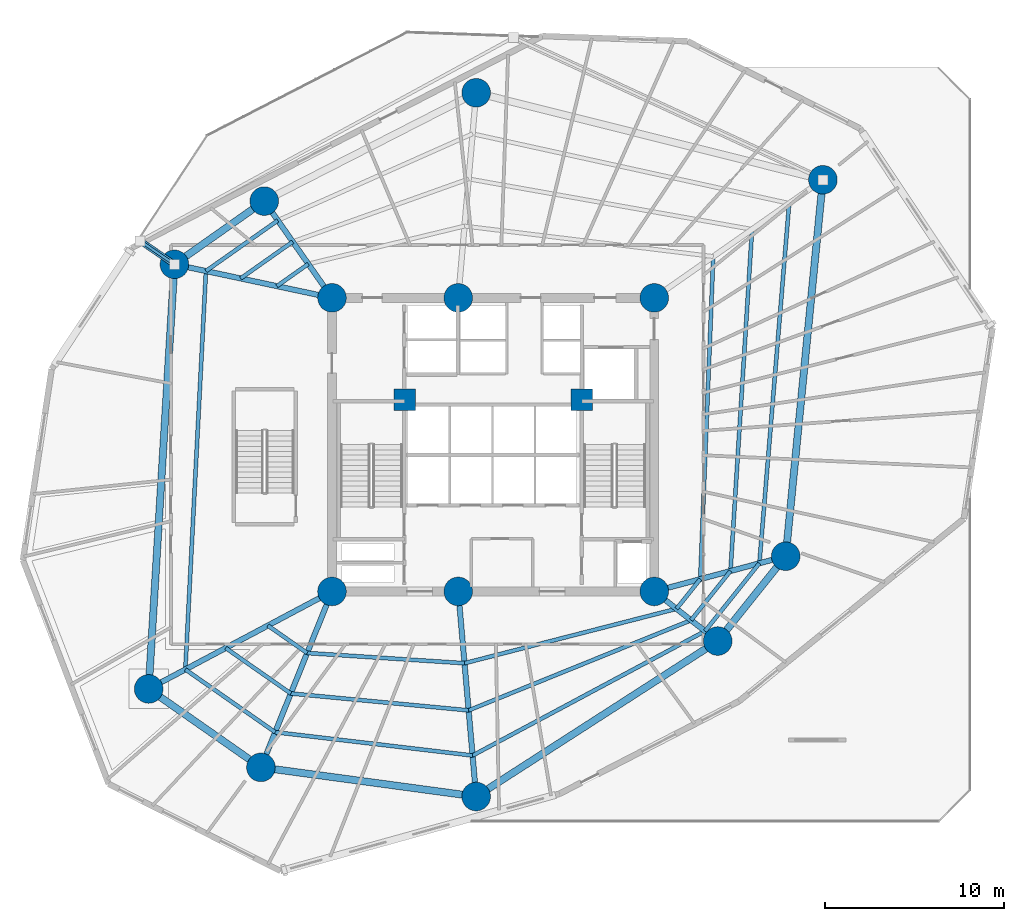
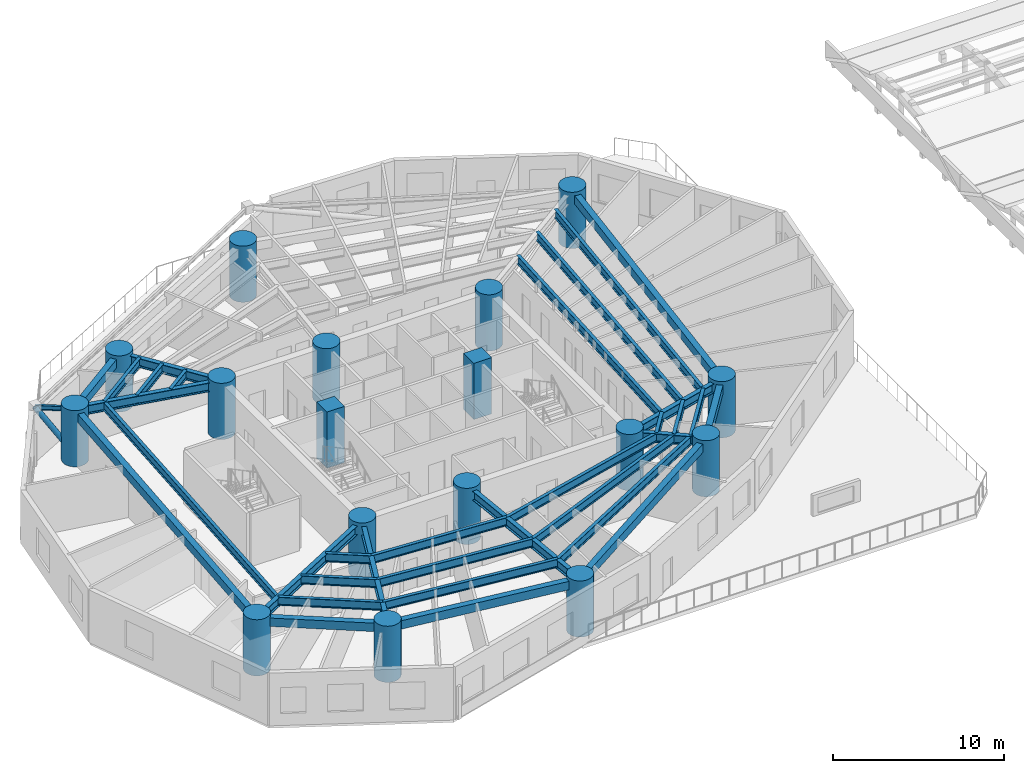
# One storey, part 1 of 16: 34 beams, 17 columns, 1 member.
"""IFC4 building model written with IfcOpenShell, lengths in metres."""

import ifcopenshell
import ifcopenshell.guid

model = None  # the IFC model being written
_history = None  # IfcOwnerHistory: only IFC2X3 demands one
_inside = {}  # id of a spatial element -> (the spatial element, [elements in it])
_under = {}  # id of a project, library or spatial element -> (it, [spatial elements below it])
_declared = {}  # id of a project -> (the project, [libraries it declares])
_typed = {}  # id of a type object -> (the type object, [elements of that type])
_made_of = {}  # id of a material, layer set ... -> (it, [elements and type objects made of it])


def new_model(schema):
    """Start an empty IFC model of exactly this schema.

    Asked for "IFC4X3", IfcOpenShell would pick the latest addendum, in which some entities
    have other attributes; the version numbers below select the first issue.
    IFC2X3 requires an IfcOwnerHistory on every rooted entity: one is made here for all.
    """
    global model, _history
    if schema == "IFC4X3":
        model = ifcopenshell.file(schema_version=(4, 3, 0, 0))
    else:
        model = ifcopenshell.file(schema=schema)
    _inside.clear()
    _under.clear()
    _declared.clear()
    _typed.clear()
    _made_of.clear()
    _history = None
    if model.schema == "IFC2X3":
        org = make("IfcOrganization", Name="unknown")
        user = make(
            "IfcPersonAndOrganization",
            ThePerson=make("IfcPerson", FamilyName="unknown"),
            TheOrganization=org,
        )
        app = make(
            "IfcApplication",
            ApplicationDeveloper=org,
            Version="unknown",
            ApplicationFullName="unknown",
            ApplicationIdentifier="unknown",
        )
        _history = make(
            "IfcOwnerHistory",
            OwningUser=user,
            OwningApplication=app,
            ChangeAction="ADDED",
            CreationDate=0,
        )
    return model


def make(cls, **values):
    """One entity of the class cls with the attributes given. An attribute that is None is left unset."""
    return model.create_entity(
        cls, **{name: value for name, value in values.items() if value is not None}
    )


def rooted(cls, **values):
    """An entity with a GlobalId (a new one), such as an element, a storey or a relation."""
    return make(cls, GlobalId=ifcopenshell.guid.new(), OwnerHistory=_history, **values)


def si_unit(unit_type, name, prefix=None):
    """IfcSIUnit, for example si_unit("LENGTHUNIT", "METRE", prefix="MILLI")."""
    return make("IfcSIUnit", UnitType=unit_type, Prefix=prefix, Name=name)


def assignment(units):
    """IfcUnitAssignment: the units of a project."""
    return None if units is None else make("IfcUnitAssignment", Units=units)


def point(xyz):
    """IfcCartesianPoint."""
    return None if xyz is None else make("IfcCartesianPoint", Coordinates=xyz)


def direction(xyz):
    """IfcDirection."""
    return None if xyz is None else make("IfcDirection", DirectionRatios=xyz)


def frame(location, z_axis=None, x_axis=None):
    """IfcAxis2Placement3D, a coordinate frame: its origin and axes. An axis left out is left unset."""
    return make(
        "IfcAxis2Placement3D",
        Location=point(location),
        Axis=direction(z_axis),
        RefDirection=direction(x_axis),
    )


def frame_2d(location, x_axis=None):
    """IfcAxis2Placement2D, a coordinate frame in the plane: its origin and x axis."""
    return make(
        "IfcAxis2Placement2D", Location=point(location), RefDirection=direction(x_axis)
    )


def origin():
    """The frame at (0, 0, 0) with its axes left unset."""
    return frame((0.0, 0.0, 0.0))


def origin_with_axes():
    """The frame at (0, 0, 0) with the z axis (0, 0, 1) and the x axis (1, 0, 0) written out."""
    return frame((0.0, 0.0, 0.0), z_axis=(0.0, 0.0, 1.0), x_axis=(1.0, 0.0, 0.0))


def origin_2d():
    """The frame at (0, 0) in the plane with its x axis left unset."""
    return frame_2d((0.0, 0.0))


def place(relative_to, where):
    """IfcLocalPlacement: puts the frame where relative to a parent placement (None: the world)."""
    return make(
        "IfcLocalPlacement", PlacementRelTo=relative_to, RelativePlacement=where
    )


def context(
    kind, dimensions, precision=None, world=None, true_north=None, identifier=None
):
    """IfcGeometricRepresentationContext, for example the 3D "Model" context."""
    return make(
        "IfcGeometricRepresentationContext",
        ContextIdentifier=identifier,
        ContextType=kind,
        CoordinateSpaceDimension=dimensions,
        Precision=precision,
        WorldCoordinateSystem=world,
        TrueNorth=true_north,
    )


def subcontext(parent, identifier, kind, view, scale=None):
    """IfcGeometricRepresentationSubContext, for example "Body" below "Model"."""
    return make(
        "IfcGeometricRepresentationSubContext",
        ContextIdentifier=identifier,
        ContextType=kind,
        ParentContext=parent,
        TargetScale=scale,
        TargetView=view,
    )


def project(units=None, contexts=None):
    """IfcProject with its units and contexts."""
    return rooted(
        "IfcProject",
        Name="project",
        RepresentationContexts=contexts,
        UnitsInContext=assignment(units),
    )


def spatial(cls, under=None, at=None, **own):
    """A site, building, storey or space (cls), placed at a placement, below another one or the project."""
    s = rooted(cls, ObjectPlacement=at, **own)
    if under is not None:
        _under.setdefault(under.id(), (under, []))[1].append(s)
    return s


def profile(cls, at=None, kind="AREA", **sizes):
    """A parametric profile (cls). Its sizes go by their IFC names, for example OverallWidth=200.0."""
    return make(cls, ProfileType=kind, Position=at, **sizes)


def rectangle(**sizes):
    """IfcRectangleProfileDef."""
    return profile("IfcRectangleProfileDef", **sizes)


def circle(**sizes):
    """IfcCircleProfileDef."""
    return profile("IfcCircleProfileDef", **sizes)


def hollow_circle(**sizes):
    """IfcCircleHollowProfileDef."""
    return profile("IfcCircleHollowProfileDef", **sizes)


def i_section(**sizes):
    """IfcIShapeProfileDef."""
    return profile("IfcIShapeProfileDef", **sizes)


def extrude(swept, where, along, depth):
    """IfcExtrudedAreaSolid: the profile swept, set in the frame where, extruded along a direction by depth."""
    return make(
        "IfcExtrudedAreaSolid",
        SweptArea=swept,
        Position=where,
        ExtrudedDirection=direction(along),
        Depth=depth,
    )


def shape(context_of_items, identifier, shape_type, items):
    """IfcShapeRepresentation: the items that make up one representation, for example the "Body"."""
    return make(
        "IfcShapeRepresentation",
        ContextOfItems=context_of_items,
        RepresentationIdentifier=identifier,
        RepresentationType=shape_type,
        Items=items,
    )


def source(mapping_origin, context_of_items, identifier, shape_type, items):
    """IfcRepresentationMap: a shape defined once, which mapped items show again and again."""
    return make(
        "IfcRepresentationMap",
        MappingOrigin=mapping_origin,
        MappedRepresentation=shape(context_of_items, identifier, shape_type, items),
    )


def transform(
    local_origin,
    x_axis=None,
    y_axis=None,
    z_axis=None,
    scale=None,
    scale2=None,
    scale3=None,
    uniform=True,
):
    """IfcCartesianTransformationOperator3D, or its non-uniform kind. x_axis, y_axis, z_axis: its Axis1, 2, 3."""
    if uniform:
        return make(
            "IfcCartesianTransformationOperator3D",
            Axis1=direction(x_axis),
            Axis2=direction(y_axis),
            LocalOrigin=point(local_origin),
            Scale=scale,
            Axis3=direction(z_axis),
        )
    return make(
        "IfcCartesianTransformationOperator3DnonUniform",
        Axis1=direction(x_axis),
        Axis2=direction(y_axis),
        LocalOrigin=point(local_origin),
        Scale=scale,
        Axis3=direction(z_axis),
        Scale2=scale2,
        Scale3=scale3,
    )


def mapped(mapping_source, mapping_target):
    """IfcMappedItem: shows the shape of a source again, moved by a transform."""
    return make(
        "IfcMappedItem", MappingSource=mapping_source, MappingTarget=mapping_target
    )


def material(Name=None, Category=None):
    """IfcMaterial."""
    return make("IfcMaterial", Name=Name, Category=Category)


def material_profile(
    of_material, cross_section, Name=None, Category=None, Priority=None
):
    """IfcMaterialProfile: a cross section and its material."""
    return make(
        "IfcMaterialProfile",
        Name=Name,
        Material=of_material,
        Profile=cross_section,
        Priority=Priority,
        Category=Category,
    )


def profile_set(profiles, Name=None, composite=None):
    """IfcMaterialProfileSet."""
    return make(
        "IfcMaterialProfileSet",
        Name=Name,
        MaterialProfiles=profiles,
        CompositeProfile=composite,
    )


def made_of(thing, what):
    """Note that an element or type object is made of a material, layer set ...; save() writes the relation."""
    if what is not None:
        _made_of.setdefault(what.id(), (what, []))[1].append(thing)
    return thing


def type_object(cls, material=None, **own):
    """A type object (cls), such as IfcWallType, which elements share."""
    return made_of(rooted(cls, **own), material)


def element(
    cls,
    number,
    at=None,
    inside=None,
    cuts=None,
    type_object=None,
    material=None,
    context=None,
    identifier="Body",
    shape_type=None,
    held_by="IfcProductDefinitionShape",
    body=None,
    shapes=None,
    **own,
):
    """One element of the class cls, such as IfcWall. Its Tag is "e" and its number.

    at: its placement. inside: the storey or other place that contains it. cuts: it is an
    opening in that element (IfcRelVoidsElement). A single representation is given by context,
    identifier, shape_type and body (its items); several are given by shapes. held_by: the class
    of the entity that holds the representations. save() writes the other relations.
    """
    e = rooted(cls, Tag="e%d" % number, ObjectPlacement=at, **own)
    if body is not None:
        shapes = [shape(context, identifier, shape_type, body)]
    if shapes is not None:
        e.Representation = make(held_by, Representations=shapes)
    if inside is not None:
        _inside.setdefault(inside.id(), (inside, []))[1].append(e)
    if cuts is not None:
        rooted(
            "IfcRelVoidsElement", RelatingBuildingElement=cuts, RelatedOpeningElement=e
        )
    if type_object is not None:
        _typed.setdefault(type_object.id(), (type_object, []))[1].append(e)
    return made_of(e, material)


def aggregate(whole, parts):
    """IfcRelAggregates: a whole, such as a stair, and the parts it consists of."""
    return rooted("IfcRelAggregates", RelatingObject=whole, RelatedObjects=parts)


def save(model, path):
    """Write the relations noted so far, then the file.

    IfcRelAggregates (storeys below a building ...), IfcRelContainedInSpatialStructure (elements
    in a storey), IfcRelDefinesByType, IfcRelAssociatesMaterial and IfcRelDeclares: one each for
    every whole, place, type object, material and project.
    """
    for whole, parts in _under.values():
        aggregate(whole, parts)
    for where, things in _inside.values():
        rooted(
            "IfcRelContainedInSpatialStructure",
            RelatedElements=things,
            RelatingStructure=where,
        )
    for kind, things in _typed.values():
        rooted("IfcRelDefinesByType", RelatedObjects=things, RelatingType=kind)
    for what, things in _made_of.values():
        rooted("IfcRelAssociatesMaterial", RelatedObjects=things, RelatingMaterial=what)
    for by, libraries in _declared.values():
        rooted("IfcRelDeclares", RelatingContext=by, RelatedDefinitions=libraries)
    model.write(path)


model = new_model("IFC4")

# Units and contexts
model_context = context("Model", 3, precision=1e-05, world=origin(), true_north=direction((0.0, 1.0)))
body_context = subcontext(model_context, "Body", "Model", "MODEL_VIEW")
ifc_project = project(units=[si_unit("LENGTHUNIT", "METRE"), si_unit("AREAUNIT", "SQUARE_METRE"), si_unit("VOLUMEUNIT", "CUBIC_METRE"), si_unit("PLANEANGLEUNIT", "RADIAN"), si_unit("MASSUNIT", "GRAM", prefix="KILO")], contexts=[model_context])

# Site, building, storey
site_placement = place(None, origin())
site = spatial("IfcSite", under=ifc_project, at=site_placement, CompositionType="ELEMENT")
building_placement = place(site_placement, origin())
building = spatial("IfcBuilding", under=site, at=building_placement, Name="Karkom Vertical University and Central Library", CompositionType="ELEMENT")
storey_placement = place(building_placement, frame((0.0, 0.0, 22.5)))
storey = spatial("IfcBuildingStorey", under=building, at=storey_placement, Name="L05", CompositionType="ELEMENT", Elevation=22.5)

# Columns
ifc_material_1 = material(Name="Concrete C50/60", Category="concrete")
ifc_material_profile_1 = material_profile(ifc_material_1, circle(Radius=0.800048828125, at=origin_2d()), Name="CFT-D1600")
ifc_profile_set_1 = profile_set([ifc_material_profile_1], Name="Concrete C50/60")
column_type_1 = type_object("IfcColumnType", Name="STR-COL-C-SC2", PredefinedType="COLUMN", material=ifc_profile_set_1)
shared_shape_1 = source(origin_with_axes(), body_context, "Body", "SweptSolid", [
    extrude(circle(Radius=0.800048828125, at=origin_2d()), origin(), (0.0, 0.0, 1.0), 4.0),
])
for number, where, z_axis, x_axis, name in (
    (1, (19.5, 18.300048828125, 0.0), (0.0, 0.0, 1.0), (1.0, 0.0, 0.0), "Level 05 Spine Mega-Column SC-1"),
    (2, (26.550048828125, 18.300048828125, 0.0), (0.0, 0.0, 1.0), (1.0, 0.0, 0.0), "Level 05 Spine Mega-Column SC-2"),
    (3, (37.5, 18.300048828125, 0.0), (0.0, 0.0, 1.0), (1.0, 0.0, 0.0), "Level 05 Spine Mega-Column SC-3"),
    (4, (19.5, 34.699951171875, 0.0), (0.0, 0.0, 1.0), (1.0, 0.0, 0.0), "Level 05 Spine Mega-Column SC-4"),
    (5, (26.550048828125, 34.699951171875, 0.0), (0.0, 0.0, 1.0), (1.0, 0.0, 0.0), "Level 05 Spine Mega-Column SC-5"),
    (6, (37.5, 34.699951171875, 0.0), (0.0, 0.0, 1.0), (1.0, 0.0, 0.0), "Level 05 Spine Mega-Column SC-6"),
    (7, (44.841064453125, 20.26708984375, 0.0), (0.0, 0.0, 1.0), (1.0, 0.0, 0.0), "Level 05 Perimeter Mega-Column Z1-PC1"),
    (8, (46.919921875, 41.2958984375, 0.0), (0.0, 0.0, 1.0), (1.0, 0.0, 0.0), "Level 05 Perimeter Mega-Column Z1-PC2"),
    (9, (27.552001953125, 46.156005859375, 0.0), (0.0, 0.0, 1.0), (1.0, 0.0, 0.0), "Level 05 Perimeter Mega-Column Z1-PC3"),
    (10, (15.714111328125, 40.10595703125, 0.0), (0.0, 0.0, 1.0), (1.0, 0.0, 0.0), "Level 05 Perimeter Mega-Column Z1-PC4"),
    (11, (10.697021484375, 36.571044921875, 0.0), (0.0, 0.0, 1.0), (1.0, 0.0, 0.0), "Level 05 Perimeter Mega-Column Z1-PC5"),
    (12, (9.258056640625, 12.85400390625, 0.0), (0.0, 0.0, 1.0), (1.0, 0.0, 0.0), "Level 05 Perimeter Mega-Column Z1-PC6"),
    (13, (15.529052734375, 8.471923828125, 0.0), (0.0, 0.0, 1.0), (1.0, 0.0, 0.0), "Level 05 Perimeter Mega-Column Z1-PC7"),
    (14, (27.552001953125, 6.843994140625, 0.0), (0.0, 0.0, 1.0), (1.0, 0.0, 0.0), "Level 05 Perimeter Mega-Column Z1-PC8"),
    (15, (41.0458984375, 15.530029296875, 0.0), (0.0, 0.0, 1.0), (1.0, 0.0, 0.0), "Level 05 Perimeter Mega-Column Z1-PC9"),
):
    element("IfcColumn", number, at=place(storey_placement, frame(where, z_axis=z_axis, x_axis=x_axis)), inside=storey, type_object=column_type_1, Name=name, PredefinedType="COLUMN", context=body_context, shape_type="MappedRepresentation", body=[
        mapped(shared_shape_1, transform((0.0, 0.0, 0.0), scale=1.0)),
    ])
ifc_material_profile_2 = material_profile(ifc_material_1, rectangle(XDim=1.199951171875, YDim=1.199951171875, at=origin_2d()), Name="RC-1200x1200")
ifc_profile_set_2 = profile_set([ifc_material_profile_2], Name="Concrete C50/60")
column_type_2 = type_object("IfcColumnType", Name="STR-COL-C-CC1", PredefinedType="COLUMN", material=ifc_profile_set_2)
shared_shape_2 = source(origin_with_axes(), body_context, "Body", "SweptSolid", [
    extrude(rectangle(XDim=1.199951171875, YDim=1.199951171875, at=origin_2d()), origin(), (0.0, 0.0, 1.0), 4.0),
])
for number, where, z_axis, x_axis, name in (
    (16, (23.550048828125, 29.0, 0.0), (0.0, 0.0, 1.0), (1.0, 0.0, 0.0), "Level 05 Core Node Column CC-1"),
    (17, (33.449951171875, 29.0, 0.0), (0.0, 0.0, 1.0), (1.0, 0.0, 0.0), "Level 05 Core Node Column CC-2"),
):
    element("IfcColumn", number, at=place(storey_placement, frame(where, z_axis=z_axis, x_axis=x_axis)), inside=storey, type_object=column_type_2, Name=name, PredefinedType="COLUMN", context=body_context, shape_type="MappedRepresentation", body=[
        mapped(shared_shape_2, transform((0.0, 0.0, 0.0), scale=1.0)),
    ])

# Beams
ifc_material_2 = material(Name="Steel S355", Category="steel")
ifc_material_profile_3 = material_profile(ifc_material_2, i_section(OverallWidth=0.300048828125, OverallDepth=0.64990234375, WebThickness=0.01611328125, FlangeThickness=0.031005859375, FilletRadius=0.027099609375, at=origin_2d()), Name="HE 650 B")
ifc_profile_set_3 = profile_set([ifc_material_profile_3], Name="Steel S355")
beam_type_1 = type_object("IfcBeamType", Name="STR-BM-SB-HE650", PredefinedType="USERDEFINED", material=ifc_profile_set_3)
shared_shape_3 = source(origin_with_axes(), body_context, "Body", "SweptSolid", [
    extrude(i_section(OverallWidth=0.300048828125, OverallDepth=0.64990234375, WebThickness=0.01611328125, FlangeThickness=0.031005859375, FilletRadius=0.027099609375, at=origin_2d()), origin(), (0.0, 0.0, 1.0), 7.60009765625),
])
beam_1_placement = place(storey_placement, frame((37.5, 18.300048828125, 3.425048828125), z_axis=(0.965925539322, 0.258820116077, 0.0), x_axis=(-0.258820116077, 0.965925539322, 0.0)))
element("IfcBeam", 18, at=beam_1_placement, inside=storey, type_object=beam_type_1, Name="Level 05 Radial Frame Girder 01", ObjectType="GIRDER", PredefinedType="USERDEFINED", context=body_context, shape_type="MappedRepresentation", body=[
    mapped(shared_shape_3, transform((0.0, 0.0, 0.0), scale=1.0)),
])
shared_shape_4 = source(origin_with_axes(), body_context, "Body", "SweptSolid", [
    extrude(i_section(OverallWidth=0.300048828125, OverallDepth=0.64990234375, WebThickness=0.01611328125, FlangeThickness=0.031005859375, FilletRadius=0.027099609375, at=origin_2d()), origin(), (0.0, 0.0, 1.0), 11.499755859375),
])
beam_2_placement = place(storey_placement, frame((26.550048828125, 18.300048828125, 3.425048828125), z_axis=(0.087127973109, -0.99619712723, 0.0), x_axis=(0.99619712723, 0.087127973109, 0.0)))
element("IfcBeam", 19, at=beam_2_placement, inside=storey, type_object=beam_type_1, Name="Level 05 Radial Frame Girder 08", ObjectType="GIRDER", PredefinedType="USERDEFINED", context=body_context, shape_type="MappedRepresentation", body=[
    mapped(shared_shape_4, transform((0.0, 0.0, 0.0), scale=1.0)),
])
shared_shape_5 = source(origin_with_axes(), body_context, "Body", "SweptSolid", [
    extrude(i_section(OverallWidth=0.300048828125, OverallDepth=0.64990234375, WebThickness=0.01611328125, FlangeThickness=0.031005859375, FilletRadius=0.027099609375, at=origin_2d()), origin(), (0.0, 0.0, 1.0), 6.599853515625),
])
beam_3_placement = place(storey_placement, frame((19.5, 34.699951171875, 3.425048828125), z_axis=(-0.573633636671, 0.819111989218, 0.0), x_axis=(-0.819111989218, -0.573633636671, 0.0)))
element("IfcBeam", 20, at=beam_3_placement, inside=storey, type_object=beam_type_1, Name="Level 05 Radial Frame Girder 04", ObjectType="GIRDER", PredefinedType="USERDEFINED", context=body_context, shape_type="MappedRepresentation", body=[
    mapped(shared_shape_5, transform((0.0, 0.0, 0.0), scale=1.0)),
])
shared_shape_6 = source(origin_with_axes(), body_context, "Body", "SweptSolid", [
    extrude(i_section(OverallWidth=0.300048828125, OverallDepth=0.64990234375, WebThickness=0.01611328125, FlangeThickness=0.031005859375, FilletRadius=0.027099609375, at=origin_2d()), origin(), (0.0, 0.0, 1.0), 8.999755859375),
])
beam_4_placement = place(storey_placement, frame((19.5, 34.699951171875, 3.425048828125), z_axis=(-0.978148438993, 0.207907747079, 0.0), x_axis=(-0.207907747079, -0.978148438993, 0.0)))
element("IfcBeam", 21, at=beam_4_placement, inside=storey, type_object=beam_type_1, Name="Level 05 Radial Frame Girder 05", ObjectType="GIRDER", PredefinedType="USERDEFINED", context=body_context, shape_type="MappedRepresentation", body=[
    mapped(shared_shape_6, transform((0.0, 0.0, 0.0), scale=1.0)),
])
shared_shape_7 = source(origin_with_axes(), body_context, "Body", "SweptSolid", [
    extrude(i_section(OverallWidth=0.300048828125, OverallDepth=0.64990234375, WebThickness=0.01611328125, FlangeThickness=0.031005859375, FilletRadius=0.027099609375, at=origin_2d()), origin(), (0.0, 0.0, 1.0), 11.599853515625),
])
beam_5_placement = place(storey_placement, frame((19.5, 18.300048828125, 3.425048828125), z_axis=(-0.882936620635, -0.469492197957, 0.0), x_axis=(0.469492197957, -0.882936620635, 0.0)))
element("IfcBeam", 22, at=beam_5_placement, inside=storey, type_object=beam_type_1, Name="Level 05 Radial Frame Girder 06", ObjectType="GIRDER", PredefinedType="USERDEFINED", context=body_context, shape_type="MappedRepresentation", body=[
    mapped(shared_shape_7, transform((0.0, 0.0, 0.0), scale=1.0)),
])
shared_shape_8 = source(origin_with_axes(), body_context, "Body", "SweptSolid", [
    extrude(i_section(OverallWidth=0.300048828125, OverallDepth=0.64990234375, WebThickness=0.01611328125, FlangeThickness=0.031005859375, FilletRadius=0.027099609375, at=origin_2d()), origin(), (0.0, 0.0, 1.0), 10.60009765625),
])
beam_6_placement = place(storey_placement, frame((19.5, 18.300048828125, 3.425048828125), z_axis=(-0.374616894394, -0.927179692635, 0.0), x_axis=(0.927179692635, -0.374616894394, 0.0)))
element("IfcBeam", 23, at=beam_6_placement, inside=storey, type_object=beam_type_1, Name="Level 05 Radial Frame Girder 07", ObjectType="GIRDER", PredefinedType="USERDEFINED", context=body_context, shape_type="MappedRepresentation", body=[
    mapped(shared_shape_8, transform((0.0, 0.0, 0.0), scale=1.0)),
])
shared_shape_9 = source(origin_with_axes(), body_context, "Body", "SweptSolid", [
    extrude(i_section(OverallWidth=0.300048828125, OverallDepth=0.64990234375, WebThickness=0.01611328125, FlangeThickness=0.031005859375, FilletRadius=0.027099609375, at=origin_2d()), origin(), (0.0, 0.0, 1.0), 4.49951171875),
])
beam_7_placement = place(storey_placement, frame((37.5, 18.300048828125, 3.425048828125), z_axis=(0.788047405801, -0.615614559778, 0.0), x_axis=(0.615614559778, 0.788047405801, 0.0)))
element("IfcBeam", 24, at=beam_7_placement, inside=storey, type_object=beam_type_1, Name="Level 05 Radial Frame Girder 09", ObjectType="GIRDER", PredefinedType="USERDEFINED", context=body_context, shape_type="MappedRepresentation", body=[
    mapped(shared_shape_9, transform((0.0, 0.0, 0.0), scale=1.0)),
])
ifc_material_3 = material(Name="Precast concrete C45/55", Category="concrete")
ifc_material_profile_4 = material_profile(ifc_material_3, rectangle(XDim=0.39990234375, YDim=0.60009765625, at=origin_2d()), Name="SPB-400x600")
ifc_profile_set_4 = profile_set([ifc_material_profile_4], Name="Precast concrete C45/55")
beam_type_2 = type_object("IfcBeamType", Name="STR-BM-SP-1", PredefinedType="SPANDREL", material=ifc_profile_set_4)
shared_shape_10 = source(origin_with_axes(), body_context, "Body", "SweptSolid", [
    extrude(rectangle(XDim=0.39990234375, YDim=0.60009765625, at=origin_2d()), origin(), (0.0, 0.0, 1.0), 21.13134765625),
])
beam_8_placement = place(storey_placement, frame((44.841064453125, 20.26708984375, 3.449951171875), z_axis=(0.0983780471, 0.995149114379, 0.0), x_axis=(-0.995149114379, 0.0983780471, 0.0)))
element("IfcBeam", 25, at=beam_8_placement, inside=storey, type_object=beam_type_2, Name="Level 05 Perimeter Spandrel Beam 01", PredefinedType="SPANDREL", context=body_context, shape_type="MappedRepresentation", body=[
    mapped(shared_shape_10, transform((0.0, 0.0, 0.0), scale=1.0)),
])
shared_shape_11 = source(origin_with_axes(), body_context, "Body", "SweptSolid", [
    extrude(rectangle(XDim=0.39990234375, YDim=0.60009765625, at=origin_2d()), origin(), (0.0, 0.0, 1.0), 6.13720703125),
])
beam_9_placement = place(storey_placement, frame((15.714111328125, 40.10595703125, 3.449951171875), z_axis=(-0.817471365538, -0.575969240955, 0.0), x_axis=(0.575969240955, -0.817471365538, 0.0)))
element("IfcBeam", 26, at=beam_9_placement, inside=storey, type_object=beam_type_2, Name="Level 05 Perimeter Spandrel Beam 04", PredefinedType="SPANDREL", context=body_context, shape_type="MappedRepresentation", body=[
    mapped(shared_shape_11, transform((0.0, 0.0, 0.0), scale=1.0)),
])
shared_shape_12 = source(origin_with_axes(), body_context, "Body", "SweptSolid", [
    extrude(rectangle(XDim=0.39990234375, YDim=0.60009765625, at=origin_2d()), origin(), (0.0, 0.0, 1.0), 23.7607421875),
])
beam_10_placement = place(storey_placement, frame((10.697021484375, 36.571044921875, 3.449951171875), z_axis=(-0.060560827767, -0.998164508556, 0.0), x_axis=(0.998164508556, -0.060560827767, 0.0)))
element("IfcBeam", 27, at=beam_10_placement, inside=storey, type_object=beam_type_2, Name="Level 05 Perimeter Spandrel Beam 05", PredefinedType="SPANDREL", context=body_context, shape_type="MappedRepresentation", body=[
    mapped(shared_shape_12, transform((0.0, 0.0, 0.0), scale=1.0)),
])
shared_shape_13 = source(origin_with_axes(), body_context, "Body", "SweptSolid", [
    extrude(rectangle(XDim=0.39990234375, YDim=0.60009765625, at=origin_2d()), origin(), (0.0, 0.0, 1.0), 7.650390625),
])
beam_11_placement = place(storey_placement, frame((9.258056640625, 12.85400390625, 3.449951171875), z_axis=(0.819699409527, -0.572793922822, 0.0), x_axis=(0.572793922822, 0.819699409527, 0.0)))
element("IfcBeam", 28, at=beam_11_placement, inside=storey, type_object=beam_type_2, Name="Level 05 Perimeter Spandrel Beam 06", PredefinedType="SPANDREL", context=body_context, shape_type="MappedRepresentation", body=[
    mapped(shared_shape_13, transform((0.0, 0.0, 0.0), scale=1.0)),
])
shared_shape_14 = source(origin_with_axes(), body_context, "Body", "SweptSolid", [
    extrude(rectangle(XDim=0.39990234375, YDim=0.60009765625, at=origin_2d()), origin(), (0.0, 0.0, 1.0), 12.132568359375),
])
beam_12_placement = place(storey_placement, frame((15.529052734375, 8.471923828125, 3.449951171875), z_axis=(0.990957319008, -0.134177464223, 0.0), x_axis=(0.134177464223, 0.990957319008, 0.0)))
element("IfcBeam", 29, at=beam_12_placement, inside=storey, type_object=beam_type_2, Name="Level 05 Perimeter Spandrel Beam 07", PredefinedType="SPANDREL", context=body_context, shape_type="MappedRepresentation", body=[
    mapped(shared_shape_14, transform((0.0, 0.0, 0.0), scale=1.0)),
])
shared_shape_15 = source(origin_with_axes(), body_context, "Body", "SweptSolid", [
    extrude(rectangle(XDim=0.39990234375, YDim=0.60009765625, at=origin_2d()), origin(), (0.0, 0.0, 1.0), 16.0478515625),
])
beam_13_placement = place(storey_placement, frame((27.552001953125, 6.843994140625, 3.449951171875), z_axis=(0.84085555045, 0.541259589548, 0.0), x_axis=(-0.541259589548, 0.84085555045, 0.0)))
element("IfcBeam", 30, at=beam_13_placement, inside=storey, type_object=beam_type_2, Name="Level 05 Perimeter Spandrel Beam 08", PredefinedType="SPANDREL", context=body_context, shape_type="MappedRepresentation", body=[
    mapped(shared_shape_15, transform((0.0, 0.0, 0.0), scale=1.0)),
])
shared_shape_16 = source(origin_with_axes(), body_context, "Body", "SweptSolid", [
    extrude(rectangle(XDim=0.39990234375, YDim=0.60009765625, at=origin_2d()), origin(), (0.0, 0.0, 1.0), 6.06982421875),
])
beam_14_placement = place(storey_placement, frame((41.0458984375, 15.530029296875, 3.449951171875), z_axis=(0.625249167344, 0.780425190992, 0.0), x_axis=(-0.780425190992, 0.625249167344, 0.0)))
element("IfcBeam", 31, at=beam_14_placement, inside=storey, type_object=beam_type_2, Name="Level 05 Perimeter Spandrel Beam 09", PredefinedType="SPANDREL", context=body_context, shape_type="MappedRepresentation", body=[
    mapped(shared_shape_16, transform((0.0, 0.0, 0.0), scale=1.0)),
])
ifc_material_profile_5 = material_profile(ifc_material_2, i_section(OverallWidth=0.219970703125, OverallDepth=0.60009765625, WebThickness=0.011962890625, FlangeThickness=0.01904296875, FilletRadius=0.02392578125, at=origin_2d()), Name="IPE 600")
ifc_profile_set_5 = profile_set([ifc_material_profile_5], Name="Steel S355")
beam_type_3 = type_object("IfcBeamType", Name="STR-BM-SB-IPE600", PredefinedType="BEAM", material=ifc_profile_set_5)
shared_shape_17 = source(origin_with_axes(), body_context, "Body", "SweptSolid", [
    extrude(i_section(OverallWidth=0.219970703125, OverallDepth=0.60009765625, WebThickness=0.011962890625, FlangeThickness=0.01904296875, FilletRadius=0.02392578125, at=origin_2d()), origin(), (0.0, 0.0, 1.0), 18.03466796875),
])
beam_15_placement = place(storey_placement, frame((40.0693359375, 18.988525390625, 3.449951171875), z_axis=(0.04035458262, 0.999185422062, 0.0), x_axis=(-0.999185422062, 0.04035458262, 0.0)))
element("IfcBeam", 32, at=beam_15_placement, inside=storey, type_object=beam_type_3, Name="Level 05 Secondary Composite Floor Beam 1.01", PredefinedType="BEAM", context=body_context, shape_type="MappedRepresentation", body=[
    mapped(shared_shape_17, transform((0.0, 0.0, 0.0), scale=1.0)),
])
shared_shape_18 = source(origin_with_axes(), body_context, "Body", "SweptSolid", [
    extrude(i_section(OverallWidth=0.219970703125, OverallDepth=0.60009765625, WebThickness=0.011962890625, FlangeThickness=0.01904296875, FilletRadius=0.02392578125, at=origin_2d()), origin(), (0.0, 0.0, 1.0), 2.14794921875),
])
beam_16_placement = place(storey_placement, frame((18.1748046875, 36.592041015625, 3.449951171875), z_axis=(-0.817433780971, -0.576022580918, 0.0), x_axis=(0.576022580918, -0.817433780971, 0.0)))
element("IfcBeam", 33, at=beam_16_placement, inside=storey, type_object=beam_type_3, Name="Level 05 Secondary Composite Floor Beam 1.04", PredefinedType="BEAM", context=body_context, shape_type="MappedRepresentation", body=[
    mapped(shared_shape_18, transform((0.0, 0.0, 0.0), scale=1.0)),
])
shared_shape_19 = source(origin_with_axes(), body_context, "Body", "SweptSolid", [
    extrude(i_section(OverallWidth=0.219970703125, OverallDepth=0.60009765625, WebThickness=0.011962890625, FlangeThickness=0.01904296875, FilletRadius=0.02392578125, at=origin_2d()), origin(), (0.0, 0.0, 1.0), 2.677490234375),
])
beam_17_placement = place(storey_placement, frame((15.915283203125, 16.393798828125, 3.449951171875), z_axis=(0.819702839548, -0.572789014243, 0.0), x_axis=(0.572789014243, 0.819702839548, 0.0)))
element("IfcBeam", 34, at=beam_17_placement, inside=storey, type_object=beam_type_3, Name="Level 05 Secondary Composite Floor Beam 1.06", PredefinedType="BEAM", context=body_context, shape_type="MappedRepresentation", body=[
    mapped(shared_shape_19, transform((0.0, 0.0, 0.0), scale=1.0)),
])
shared_shape_20 = source(origin_with_axes(), body_context, "Body", "SweptSolid", [
    extrude(i_section(OverallWidth=0.219970703125, OverallDepth=0.60009765625, WebThickness=0.011962890625, FlangeThickness=0.01904296875, FilletRadius=0.02392578125, at=origin_2d()), origin(), (0.0, 0.0, 1.0), 8.80908203125),
])
beam_18_placement = place(storey_placement, frame((18.110107421875, 14.860107421875, 3.449951171875), z_axis=(0.997905617906, -0.064686766433, 0.0), x_axis=(0.064686766433, 0.997905617906, 0.0)))
element("IfcBeam", 35, at=beam_18_placement, inside=storey, type_object=beam_type_3, Name="Level 05 Secondary Composite Floor Beam 1.07", PredefinedType="BEAM", context=body_context, shape_type="MappedRepresentation", body=[
    mapped(shared_shape_20, transform((0.0, 0.0, 0.0), scale=1.0)),
])
shared_shape_21 = source(origin_with_axes(), body_context, "Body", "SweptSolid", [
    extrude(i_section(OverallWidth=0.219970703125, OverallDepth=0.60009765625, WebThickness=0.011962890625, FlangeThickness=0.01904296875, FilletRadius=0.02392578125, at=origin_2d()), origin(), (0.0, 0.0, 1.0), 12.224609375),
])
beam_19_placement = place(storey_placement, frame((26.900634765625, 14.290283203125, 3.449951171875), z_axis=(0.968580403264, 0.248700628092, 0.0), x_axis=(-0.248700628092, 0.968580403264, 0.0)))
element("IfcBeam", 36, at=beam_19_placement, inside=storey, type_object=beam_type_3, Name="Level 05 Secondary Composite Floor Beam 1.08", PredefinedType="BEAM", context=body_context, shape_type="MappedRepresentation", body=[
    mapped(shared_shape_21, transform((0.0, 0.0, 0.0), scale=1.0)),
])
shared_shape_22 = source(origin_with_axes(), body_context, "Body", "SweptSolid", [
    extrude(i_section(OverallWidth=0.219970703125, OverallDepth=0.60009765625, WebThickness=0.011962890625, FlangeThickness=0.01904296875, FilletRadius=0.02392578125, at=origin_2d()), origin(), (0.0, 0.0, 1.0), 2.124267578125),
])
beam_20_placement = place(storey_placement, frame((38.7412109375, 17.33056640625, 3.449951171875), z_axis=(0.625199471959, 0.780465002587, 0.0), x_axis=(-0.780465002587, 0.625199471959, 0.0)))
element("IfcBeam", 37, at=beam_20_placement, inside=storey, type_object=beam_type_3, Name="Level 05 Secondary Composite Floor Beam 1.09", PredefinedType="BEAM", context=body_context, shape_type="MappedRepresentation", body=[
    mapped(shared_shape_22, transform((0.0, 0.0, 0.0), scale=1.0)),
])
shared_shape_23 = source(origin_with_axes(), body_context, "Body", "SweptSolid", [
    extrude(i_section(OverallWidth=0.219970703125, OverallDepth=0.60009765625, WebThickness=0.011962890625, FlangeThickness=0.01904296875, FilletRadius=0.02392578125, at=origin_2d()), origin(), (0.0, 0.0, 1.0), 19.122802734375),
])
beam_21_placement = place(storey_placement, frame((41.7578125, 19.44091796875, 3.449951171875), z_axis=(0.063056264597, 0.998009973645, 0.0), x_axis=(-0.998009973645, 0.063056264597, 0.0)))
element("IfcBeam", 38, at=beam_21_placement, inside=storey, type_object=beam_type_3, Name="Level 05 Secondary Composite Floor Beam 2.01", PredefinedType="BEAM", context=body_context, shape_type="MappedRepresentation", body=[
    mapped(shared_shape_23, transform((0.0, 0.0, 0.0), scale=1.0)),
])
shared_shape_24 = source(origin_with_axes(), body_context, "Body", "SweptSolid", [
    extrude(i_section(OverallWidth=0.219970703125, OverallDepth=0.60009765625, WebThickness=0.011962890625, FlangeThickness=0.01904296875, FilletRadius=0.02392578125, at=origin_2d()), origin(), (0.0, 0.0, 1.0), 3.5595703125),
])
beam_22_placement = place(storey_placement, frame((17.30419921875, 37.83544921875, 3.449951171875), z_axis=(-0.817465552849, -0.575977490798, 0.0), x_axis=(0.575977490798, -0.817465552849, 0.0)))
element("IfcBeam", 39, at=beam_22_placement, inside=storey, type_object=beam_type_3, Name="Level 05 Secondary Composite Floor Beam 2.04", PredefinedType="BEAM", context=body_context, shape_type="MappedRepresentation", body=[
    mapped(shared_shape_24, transform((0.0, 0.0, 0.0), scale=1.0)),
])
shared_shape_25 = source(origin_with_axes(), body_context, "Body", "SweptSolid", [
    extrude(i_section(OverallWidth=0.219970703125, OverallDepth=0.60009765625, WebThickness=0.011962890625, FlangeThickness=0.01904296875, FilletRadius=0.02392578125, at=origin_2d()), origin(), (0.0, 0.0, 1.0), 4.437255859375),
])
beam_23_placement = place(storey_placement, frame((13.5595703125, 15.141357421875, 3.449951171875), z_axis=(0.819712425733, -0.572775295468, 0.0), x_axis=(0.572775295468, 0.819712425733, 0.0)))
element("IfcBeam", 40, at=beam_23_placement, inside=storey, type_object=beam_type_3, Name="Level 05 Secondary Composite Floor Beam 2.06", PredefinedType="BEAM", context=body_context, shape_type="MappedRepresentation", body=[
    mapped(shared_shape_25, transform((0.0, 0.0, 0.0), scale=1.0)),
])
shared_shape_26 = source(origin_with_axes(), body_context, "Body", "SweptSolid", [
    extrude(i_section(OverallWidth=0.219970703125, OverallDepth=0.60009765625, WebThickness=0.011962890625, FlangeThickness=0.01904296875, FilletRadius=0.02392578125, at=origin_2d()), origin(), (0.0, 0.0, 1.0), 9.97900390625),
])
beam_24_placement = place(storey_placement, frame((17.19677734375, 12.599853515625, 3.449951171875), z_axis=(0.995512389915, -0.094631292526, 0.0), x_axis=(0.094631292526, 0.995512389915, 0.0)))
element("IfcBeam", 41, at=beam_24_placement, inside=storey, type_object=beam_type_3, Name="Level 05 Secondary Composite Floor Beam 2.07", PredefinedType="BEAM", context=body_context, shape_type="MappedRepresentation", body=[
    mapped(shared_shape_26, transform((0.0, 0.0, 0.0), scale=1.0)),
])
shared_shape_27 = source(origin_with_axes(), body_context, "Body", "SweptSolid", [
    extrude(i_section(OverallWidth=0.219970703125, OverallDepth=0.60009765625, WebThickness=0.011962890625, FlangeThickness=0.01904296875, FilletRadius=0.02392578125, at=origin_2d()), origin(), (0.0, 0.0, 1.0), 13.407958984375),
])
beam_25_placement = place(storey_placement, frame((27.131103515625, 11.655517578125, 3.449951171875), z_axis=(0.926727273371, 0.375734694685, 0.0), x_axis=(-0.375734694685, 0.926727273371, 0.0)))
element("IfcBeam", 42, at=beam_25_placement, inside=storey, type_object=beam_type_3, Name="Level 05 Secondary Composite Floor Beam 2.08", PredefinedType="BEAM", context=body_context, shape_type="MappedRepresentation", body=[
    mapped(shared_shape_27, transform((0.0, 0.0, 0.0), scale=1.0)),
])
shared_shape_28 = source(origin_with_axes(), body_context, "Body", "SweptSolid", [
    extrude(i_section(OverallWidth=0.219970703125, OverallDepth=0.60009765625, WebThickness=0.011962890625, FlangeThickness=0.01904296875, FilletRadius=0.02392578125, at=origin_2d()), origin(), (0.0, 0.0, 1.0), 3.5205078125),
])
beam_26_placement = place(storey_placement, frame((39.556640625, 16.693359375, 3.449951171875), z_axis=(0.62523614548, 0.780435623473, 0.0), x_axis=(-0.780435623473, 0.62523614548, 0.0)))
element("IfcBeam", 43, at=beam_26_placement, inside=storey, type_object=beam_type_3, Name="Level 05 Secondary Composite Floor Beam 2.09", PredefinedType="BEAM", context=body_context, shape_type="MappedRepresentation", body=[
    mapped(shared_shape_28, transform((0.0, 0.0, 0.0), scale=1.0)),
])
shared_shape_29 = source(origin_with_axes(), body_context, "Body", "SweptSolid", [
    extrude(i_section(OverallWidth=0.219970703125, OverallDepth=0.60009765625, WebThickness=0.011962890625, FlangeThickness=0.01904296875, FilletRadius=0.02392578125, at=origin_2d()), origin(), (0.0, 0.0, 1.0), 20.171875),
])
beam_27_placement = place(storey_placement, frame((43.372802734375, 19.87353515625, 3.449951171875), z_axis=(0.082445490935, 0.996595575459, 0.0), x_axis=(-0.996595575459, 0.082445490935, 0.0)))
element("IfcBeam", 44, at=beam_27_placement, inside=storey, type_object=beam_type_3, Name="Level 05 Secondary Composite Floor Beam 3.01", PredefinedType="BEAM", context=body_context, shape_type="MappedRepresentation", body=[
    mapped(shared_shape_29, transform((0.0, 0.0, 0.0), scale=1.0)),
])
shared_shape_30 = source(origin_with_axes(), body_context, "Body", "SweptSolid", [
    extrude(i_section(OverallWidth=0.219970703125, OverallDepth=0.60009765625, WebThickness=0.011962890625, FlangeThickness=0.01904296875, FilletRadius=0.02392578125, at=origin_2d()), origin(), (0.0, 0.0, 1.0), 4.909912109375),
])
beam_28_placement = place(storey_placement, frame((16.47119140625, 39.02490234375, 3.449951171875), z_axis=(-0.817452635759, -0.575995823153, 0.0), x_axis=(0.575995823153, -0.817452635759, 0.0)))
element("IfcBeam", 45, at=beam_28_placement, inside=storey, type_object=beam_type_3, Name="Level 05 Secondary Composite Floor Beam 3.04", PredefinedType="BEAM", context=body_context, shape_type="MappedRepresentation", body=[
    mapped(shared_shape_30, transform((0.0, 0.0, 0.0), scale=1.0)),
])
shared_shape_31 = source(origin_with_axes(), body_context, "Body", "SweptSolid", [
    extrude(i_section(OverallWidth=0.219970703125, OverallDepth=0.60009765625, WebThickness=0.011962890625, FlangeThickness=0.01904296875, FilletRadius=0.02392578125, at=origin_2d()), origin(), (0.0, 0.0, 1.0), 22.283447265625),
])
beam_29_placement = place(storey_placement, frame((12.45751953125, 36.19677734375, 3.449951171875), z_axis=(-0.051658288147, -0.998664819279, 0.0), x_axis=(0.998664819279, -0.051658288147, 0.0)))
element("IfcBeam", 46, at=beam_29_placement, inside=storey, type_object=beam_type_3, Name="Level 05 Secondary Composite Floor Beam 3.05", PredefinedType="BEAM", context=body_context, shape_type="MappedRepresentation", body=[
    mapped(shared_shape_31, transform((0.0, 0.0, 0.0), scale=1.0)),
])
shared_shape_32 = source(origin_with_axes(), body_context, "Body", "SweptSolid", [
    extrude(i_section(OverallWidth=0.219970703125, OverallDepth=0.60009765625, WebThickness=0.011962890625, FlangeThickness=0.01904296875, FilletRadius=0.02392578125, at=origin_2d()), origin(), (0.0, 0.0, 1.0), 6.120361328125),
])
beam_30_placement = place(storey_placement, frame((11.306396484375, 13.943115234375, 3.449951171875), z_axis=(0.81970577287, -0.572784816422, 0.0), x_axis=(0.572784816422, 0.81970577287, 0.0)))
element("IfcBeam", 47, at=beam_30_placement, inside=storey, type_object=beam_type_3, Name="Level 05 Secondary Composite Floor Beam 3.06", PredefinedType="BEAM", context=body_context, shape_type="MappedRepresentation", body=[
    mapped(shared_shape_32, transform((0.0, 0.0, 0.0), scale=1.0)),
])
shared_shape_33 = source(origin_with_axes(), body_context, "Body", "SweptSolid", [
    extrude(i_section(OverallWidth=0.219970703125, OverallDepth=0.60009765625, WebThickness=0.011962890625, FlangeThickness=0.01904296875, FilletRadius=0.02392578125, at=origin_2d()), origin(), (0.0, 0.0, 1.0), 11.10498046875),
])
beam_31_placement = place(storey_placement, frame((16.3232421875, 10.4375, 3.449951171875), z_axis=(0.993100390447, -0.117267278018, 0.0), x_axis=(0.117267278018, 0.993100390447, 0.0)))
element("IfcBeam", 48, at=beam_31_placement, inside=storey, type_object=beam_type_3, Name="Level 05 Secondary Composite Floor Beam 3.07", PredefinedType="BEAM", context=body_context, shape_type="MappedRepresentation", body=[
    mapped(shared_shape_33, transform((0.0, 0.0, 0.0), scale=1.0)),
])
shared_shape_34 = source(origin_with_axes(), body_context, "Body", "SweptSolid", [
    extrude(i_section(OverallWidth=0.219970703125, OverallDepth=0.60009765625, WebThickness=0.011962890625, FlangeThickness=0.01904296875, FilletRadius=0.02392578125, at=origin_2d()), origin(), (0.0, 0.0, 1.0), 14.727783203125),
])
beam_32_placement = place(storey_placement, frame((27.3515625, 9.13525390625, 3.449951171875), z_axis=(0.881697726656, 0.471814708131, 0.0), x_axis=(-0.471814708131, 0.881697726656, 0.0)))
element("IfcBeam", 49, at=beam_32_placement, inside=storey, type_object=beam_type_3, Name="Level 05 Secondary Composite Floor Beam 3.08", PredefinedType="BEAM", context=body_context, shape_type="MappedRepresentation", body=[
    mapped(shared_shape_34, transform((0.0, 0.0, 0.0), scale=1.0)),
])
shared_shape_35 = source(origin_with_axes(), body_context, "Body", "SweptSolid", [
    extrude(i_section(OverallWidth=0.219970703125, OverallDepth=0.60009765625, WebThickness=0.011962890625, FlangeThickness=0.01904296875, FilletRadius=0.02392578125, at=origin_2d()), origin(), (0.0, 0.0, 1.0), 4.855712890625),
])
beam_33_placement = place(storey_placement, frame((40.3369140625, 16.083984375, 3.449951171875), z_axis=(0.62522835738, 0.780441862747, 0.0), x_axis=(-0.780441862747, 0.62522835738, 0.0)))
element("IfcBeam", 50, at=beam_33_placement, inside=storey, type_object=beam_type_3, Name="Level 05 Secondary Composite Floor Beam 3.09", PredefinedType="BEAM", context=body_context, shape_type="MappedRepresentation", body=[
    mapped(shared_shape_35, transform((0.0, 0.0, 0.0), scale=1.0)),
])
ifc_material_profile_6 = material_profile(ifc_material_2, i_section(OverallWidth=0.159912109375, OverallDepth=0.330078125, WebThickness=0.007568359375, FlangeThickness=0.011474609375, FilletRadius=0.01806640625, at=origin_2d()), Name="IPE 330")
ifc_profile_set_6 = profile_set([ifc_material_profile_6], Name="Steel S355")
beam_type_4 = type_object("IfcBeamType", Name="STR-BM-SB-IPE330", PredefinedType="BEAM", material=ifc_profile_set_6)
shared_shape_36 = source(origin_with_axes(), body_context, "Body", "SweptSolid", [
    extrude(i_section(OverallWidth=0.159912109375, OverallDepth=0.330078125, WebThickness=0.007568359375, FlangeThickness=0.011474609375, FilletRadius=0.01806640625, at=origin_2d()), origin(), (0.0, 0.0, 1.0), 2.33203125),
])
beam_34_placement = place(storey_placement, frame((10.697021484375, 36.571044921875, 3.5849609375), z_axis=(-0.825158297699, 0.564901569955, 0.0), x_axis=(-0.564901569955, -0.825158297699, 0.0)))
element("IfcBeam", 51, at=beam_34_placement, inside=storey, type_object=beam_type_4, Name="Level 05 Sky Garden Outrigger Support Beam 2", PredefinedType="BEAM", context=body_context, shape_type="MappedRepresentation", body=[
    mapped(shared_shape_36, transform((0.0, 0.0, 0.0), scale=1.0)),
])

# Member
ifc_material_profile_7 = material_profile(ifc_material_2, hollow_circle(Radius=0.177734375, WallThickness=0.01611328125, at=origin_2d()), Name="CHS 355.6x16")
ifc_profile_set_7 = profile_set([ifc_material_profile_7], Name="Steel S355")
member_type = type_object("IfcMemberType", Name="STR-MEM-BR-3", PredefinedType="BRACE", material=ifc_profile_set_7)
shared_shape_37 = source(origin_with_axes(), body_context, "Body", "SweptSolid", [
    extrude(hollow_circle(Radius=0.177734375, WallThickness=0.01611328125, at=origin_2d()), origin(), (0.0, 0.0, 1.0), 3.98779296875),
])
member_placement = place(storey_placement, frame((10.697021484375, 36.571044921875, 0.35009765625), z_axis=(-0.482546592431, 0.330350344171, 0.811182739116), x_axis=(-0.564901569955, -0.825158297699, 0.0)))
element("IfcMember", 52, at=member_placement, inside=storey, type_object=member_type, Name="Level 05 Sky Garden Knee Strut Brace 2", PredefinedType="BRACE", context=body_context, shape_type="MappedRepresentation", body=[
    mapped(shared_shape_37, transform((0.0, 0.0, 0.0), scale=1.0)),
])

save(model, "model.ifc")
